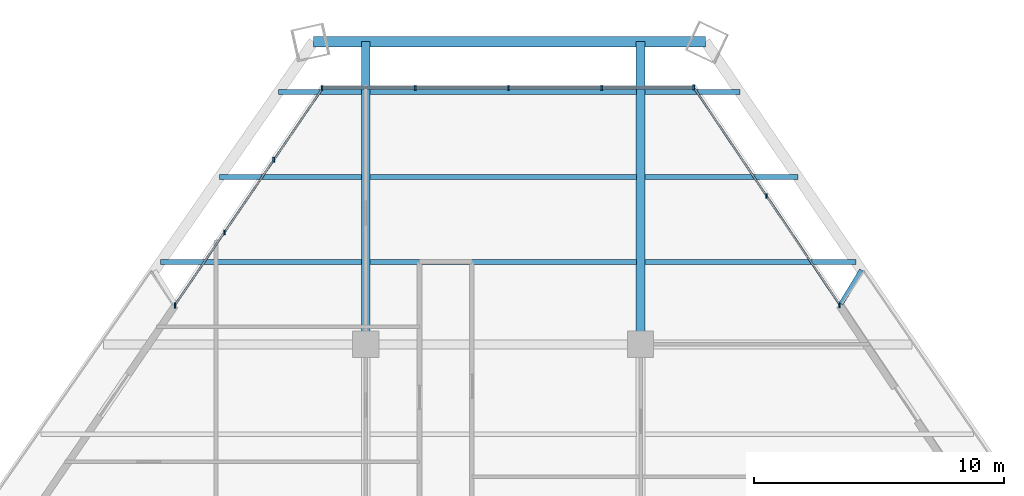
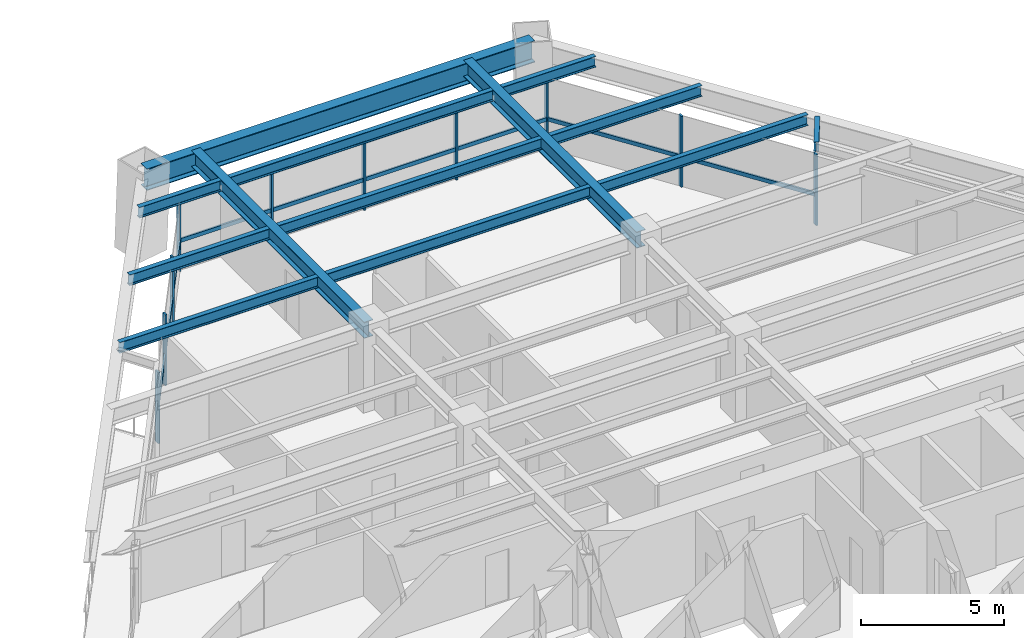
# One storey, part 8 of 14: 20 members, 13 beams, 3 elements without a shape of their own.
"""IFC4 building model written with IfcOpenShell, lengths in metres."""

from ifc_helpers import new_model, si_unit, direction, frame, origin, origin_2d, place, context, subcontext, project, spatial, rectangle, i_section, extrude, source, transform, mapped, material, material_profile, profile_set, type_object, type_shapes, element, aggregate, save


model = new_model("IFC4")

# Units and contexts
model_context = context("Model", 3, precision=1e-05, world=origin(), true_north=direction((0.0, 1.0)))
body_context = subcontext(model_context, "Body", "Model", "MODEL_VIEW")
ifc_project = project(units=[si_unit("LENGTHUNIT", "METRE"), si_unit("AREAUNIT", "SQUARE_METRE"), si_unit("VOLUMEUNIT", "CUBIC_METRE"), si_unit("PLANEANGLEUNIT", "RADIAN"), si_unit("MASSUNIT", "GRAM", prefix="KILO")], contexts=[model_context])

# Site, building, storey
site_placement = place(None, origin())
site = spatial("IfcSite", under=ifc_project, at=site_placement, CompositionType="ELEMENT")
building_placement = place(site_placement, origin())
building = spatial("IfcBuilding", under=site, at=building_placement, Name="Varnakhor Terracotta Tower", CompositionType="ELEMENT")
storey_placement = place(building_placement, frame((0.0, 0.0, 46.0)))
storey = spatial("IfcBuildingStorey", under=building, at=storey_placement, Name="L10", CompositionType="ELEMENT", Elevation=46.0)

# Beams
ifc_material_1 = material(Name="Steel S355", Category="steel")
ifc_material_profile_1 = material_profile(ifc_material_1, i_section(OverallWidth=0.19189453125, OverallDepth=0.462890625, WebThickness=0.010498046875, FlangeThickness=0.017578125, FilletRadius=0.01806640625, at=origin_2d()), Name="W18X60")
ifc_profile_set_1 = profile_set([ifc_material_profile_1], Name="Steel S355")
beam_type_1 = type_object("IfcBeamType", Name="JST-W18X60", PredefinedType="JOIST", material=ifc_profile_set_1)
shared_shape_1 = source(origin(), body_context, "Body", "SweptSolid", [
    extrude(i_section(OverallWidth=0.19189453125, OverallDepth=0.462890625, WebThickness=0.010498046875, FlangeThickness=0.017578125, FilletRadius=0.01806640625, at=origin_2d()), origin(), (0.0, 0.0, 1.0), 10.65283203125),
])
for number, where, z_axis, x_axis, name in (
    (1, (-5.326416015625, 34.800048828125, 3.218505859375), (1.0, 0.0, 0.0), (0.0, 1.0, 0.0), "L10 Composite Floor Joist 7-2"),
    (2, (-5.326416015625, 38.199951171875, 3.218505859375), (1.0, 0.0, 0.0), (0.0, 1.0, 0.0), "L10 Composite Floor Joist 8-2"),
    (3, (-5.326416015625, 41.60009765625, 3.218505859375), (1.0, 0.0, 0.0), (0.0, 1.0, 0.0), "L10 Composite Floor Joist 9-2"),
):
    element("IfcBeam", number, at=place(storey_placement, frame(where, z_axis=z_axis, x_axis=x_axis)), inside=storey, type_object=beam_type_1, Name=name, PredefinedType="JOIST", context=body_context, shape_type="MappedRepresentation", body=[
        mapped(shared_shape_1, transform((0.0, 0.0, 0.0), scale=1.0)),
    ])
ifc_material_profile_2 = material_profile(ifc_material_1, i_section(OverallWidth=0.41796875, OverallDepth=0.927001953125, WebThickness=0.01904296875, FlangeThickness=0.031982421875, FilletRadius=0.01806640625, at=origin_2d()), Name="W36X231")
ifc_profile_set_2 = profile_set([ifc_material_profile_2], Name="Steel S355")
beam_type_2 = type_object("IfcBeamType", Name="BM-W36X231", PredefinedType="BEAM", material=ifc_profile_set_2)
shared_shape_2 = source(origin(), body_context, "Body", "SweptSolid", [
    extrude(i_section(OverallWidth=0.41796875, OverallDepth=0.927001953125, WebThickness=0.01904296875, FlangeThickness=0.031982421875, FilletRadius=0.01806640625, at=origin_2d()), origin(), (0.0, 0.0, 1.0), 15.68310546875),
])
beam_1_placement = place(storey_placement, frame((8.093505859375, 43.61474609375, 2.986572265625), z_axis=(-1.0, 0.0, 0.0), x_axis=(0.0, -1.0, 0.0)))
element("IfcBeam", 4, at=beam_1_placement, inside=storey, type_object=beam_type_2, Name="L10 Perimeter Spandrel 5", PredefinedType="BEAM", context=body_context, shape_type="MappedRepresentation", body=[
    mapped(shared_shape_2, transform((0.0, 0.0, 0.0), scale=1.0)),
])
ifc_material_profile_3 = material_profile(ifc_material_1, i_section(OverallWidth=0.35498046875, OverallDepth=0.695068359375, WebThickness=0.014892578125, FlangeThickness=0.02490234375, FilletRadius=0.01806640625, at=origin_2d()), Name="W27X146")
ifc_profile_set_3 = profile_set([ifc_material_profile_3], Name="Steel S355")
beam_type_3 = type_object("IfcBeamType", Name="BM-W27X146", PredefinedType="BEAM", material=ifc_profile_set_3)
shared_shape_3 = source(origin(), body_context, "Body", "SweptSolid", [
    extrude(i_section(OverallWidth=0.35498046875, OverallDepth=0.695068359375, WebThickness=0.014892578125, FlangeThickness=0.02490234375, FilletRadius=0.01806640625, at=origin_2d()), origin(), (0.0, 0.0, 1.0), 12.11474609375),
])
for number, where, z_axis, x_axis, name in (
    (5, (-5.5, 31.5, 3.1025390625), (0.0, 1.0, 0.0), (-1.0, 0.0, 0.0), "L10 Primary Girder NS3-W"),
    (6, (5.5, 31.5, 3.1025390625), (0.0, 1.0, 0.0), (-1.0, 0.0, 0.0), "L10 Primary Girder NS3-E"),
):
    element("IfcBeam", number, at=place(storey_placement, frame(where, z_axis=z_axis, x_axis=x_axis)), inside=storey, type_object=beam_type_3, Name=name, PredefinedType="BEAM", context=body_context, shape_type="MappedRepresentation", body=[
        mapped(shared_shape_3, transform((0.0, 0.0, 0.0), scale=1.0)),
    ])
shared_shape_4 = source(origin(), body_context, "Body", "SweptSolid", [
    extrude(i_section(OverallWidth=0.19189453125, OverallDepth=0.462890625, WebThickness=0.010498046875, FlangeThickness=0.017578125, FilletRadius=0.01806640625, at=origin_2d()), origin(), (0.0, 0.0, 1.0), 8.03759765625),
])
beam_2_placement = place(storey_placement, frame((-13.711181640625, 34.800048828125, 3.218505859375), z_axis=(1.0, 0.0, 0.0), x_axis=(0.0, 1.0, 0.0)))
element("IfcBeam", 7, at=beam_2_placement, inside=storey, type_object=beam_type_1, Name="L10 Composite Floor Joist 7-1", PredefinedType="JOIST", context=body_context, shape_type="MappedRepresentation", body=[
    mapped(shared_shape_4, transform((0.0, 0.0, 0.0), scale=1.0)),
])
shared_shape_5 = source(origin(), body_context, "Body", "SweptSolid", [
    extrude(i_section(OverallWidth=0.19189453125, OverallDepth=0.462890625, WebThickness=0.010498046875, FlangeThickness=0.017578125, FilletRadius=0.01806640625, at=origin_2d()), origin(), (0.0, 0.0, 1.0), 8.439697265625),
])
beam_3_placement = place(storey_placement, frame((5.673583984375, 34.800048828125, 3.218505859375), z_axis=(1.0, 0.0, 0.0), x_axis=(0.0, 1.0, 0.0)))
element("IfcBeam", 8, at=beam_3_placement, inside=storey, type_object=beam_type_1, Name="L10 Composite Floor Joist 7-3", PredefinedType="JOIST", context=body_context, shape_type="MappedRepresentation", body=[
    mapped(shared_shape_5, transform((0.0, 0.0, 0.0), scale=1.0)),
])
shared_shape_6 = source(origin(), body_context, "Body", "SweptSolid", [
    extrude(i_section(OverallWidth=0.19189453125, OverallDepth=0.462890625, WebThickness=0.010498046875, FlangeThickness=0.017578125, FilletRadius=0.01806640625, at=origin_2d()), origin(), (0.0, 0.0, 1.0), 5.676513671875),
])
beam_4_placement = place(storey_placement, frame((-11.35009765625, 38.199951171875, 3.218505859375), z_axis=(1.0, 0.0, 0.0), x_axis=(0.0, 1.0, 0.0)))
element("IfcBeam", 9, at=beam_4_placement, inside=storey, type_object=beam_type_1, Name="L10 Composite Floor Joist 8-1", PredefinedType="JOIST", context=body_context, shape_type="MappedRepresentation", body=[
    mapped(shared_shape_6, transform((0.0, 0.0, 0.0), scale=1.0)),
])
shared_shape_7 = source(origin(), body_context, "Body", "SweptSolid", [
    extrude(i_section(OverallWidth=0.19189453125, OverallDepth=0.462890625, WebThickness=0.010498046875, FlangeThickness=0.017578125, FilletRadius=0.01806640625, at=origin_2d()), origin(), (0.0, 0.0, 1.0), 6.117919921875),
])
beam_5_placement = place(storey_placement, frame((5.673583984375, 38.199951171875, 3.218505859375), z_axis=(1.0, 0.0, 0.0), x_axis=(0.0, 1.0, 0.0)))
element("IfcBeam", 10, at=beam_5_placement, inside=storey, type_object=beam_type_1, Name="L10 Composite Floor Joist 8-3", PredefinedType="JOIST", context=body_context, shape_type="MappedRepresentation", body=[
    mapped(shared_shape_7, transform((0.0, 0.0, 0.0), scale=1.0)),
])
shared_shape_8 = source(origin(), body_context, "Body", "SweptSolid", [
    extrude(i_section(OverallWidth=0.19189453125, OverallDepth=0.462890625, WebThickness=0.010498046875, FlangeThickness=0.017578125, FilletRadius=0.01806640625, at=origin_2d()), origin(), (0.0, 0.0, 1.0), 3.3154296875),
])
beam_6_placement = place(storey_placement, frame((-8.989013671875, 41.60009765625, 3.218505859375), z_axis=(1.0, 0.0, 0.0), x_axis=(0.0, 1.0, 0.0)))
element("IfcBeam", 11, at=beam_6_placement, inside=storey, type_object=beam_type_1, Name="L10 Composite Floor Joist 9-1", PredefinedType="JOIST", context=body_context, shape_type="MappedRepresentation", body=[
    mapped(shared_shape_8, transform((0.0, 0.0, 0.0), scale=1.0)),
])
shared_shape_9 = source(origin(), body_context, "Body", "SweptSolid", [
    extrude(i_section(OverallWidth=0.19189453125, OverallDepth=0.462890625, WebThickness=0.010498046875, FlangeThickness=0.017578125, FilletRadius=0.01806640625, at=origin_2d()), origin(), (0.0, 0.0, 1.0), 3.7958984375),
])
beam_7_placement = place(storey_placement, frame((5.673583984375, 41.60009765625, 3.218505859375), z_axis=(1.0, 0.0, 0.0), x_axis=(0.0, 1.0, 0.0)))
element("IfcBeam", 12, at=beam_7_placement, inside=storey, type_object=beam_type_1, Name="L10 Composite Floor Joist 9-3", PredefinedType="JOIST", context=body_context, shape_type="MappedRepresentation", body=[
    mapped(shared_shape_9, transform((0.0, 0.0, 0.0), scale=1.0)),
])

# Curtain wall, members
ifc_material_2 = material(Name="Anodised Aluminium Curtain Wall System", Category="aluminium")
curtain_wall_type = type_object("IfcCurtainWallType", Name="CW-SYS-LOW-OFFICE", PredefinedType="NOTDEFINED", material=ifc_material_2)
curtain_wall_1_placement = place(storey_placement, origin())
curtain_wall_1 = element("IfcCurtainWall", 13, at=curtain_wall_1_placement, inside=storey, type_object=curtain_wall_type, Name="L10 W Facet Curtain Wall 2", PredefinedType="NOTDEFINED")
ifc_material_3 = material(Name="Anodised Aluminium 6063-T6", Category="aluminium")
ifc_material_profile_4 = material_profile(ifc_material_3, rectangle(XDim=0.074951171875, YDim=0.18505859375, at=origin_2d()), Name="ALU MULLION 75x185")
ifc_profile_set_4 = profile_set([ifc_material_profile_4], Name="Anodised Aluminium 6063-T6")
member_type_1 = type_object("IfcMemberType", Name="CWM-02", PredefinedType="MULLION", material=ifc_profile_set_4)
shared_shape_10 = source(origin(), body_context, "Body", "SweptSolid", [
    extrude(rectangle(XDim=0.074951171875, YDim=0.18505859375, at=origin_2d()), origin(), (0.0, 0.0, 1.0), 3.030029296875),
])
type_shapes(member_type_1, [shared_shape_10])
member_1_placement = place(storey_placement, frame((-13.131591796875, 33.079345703125, 0.0), z_axis=(0.0, 0.0, 1.0), x_axis=(1.0, 0.0, 0.0)))
member_1 = element("IfcMember", 14, at=member_1_placement, type_object=member_type_1, Name="L10 W Facet Curtain Wall 2 Mullion 1", PredefinedType="MULLION", context=body_context, shape_type="MappedRepresentation", body=[
    mapped(shared_shape_10, transform((0.0, 0.0, 0.0), scale=1.0)),
])
member_2_placement = place(storey_placement, frame((-11.15380859375, 35.982421875, 0.0), z_axis=(0.0, 0.0, 1.0), x_axis=(1.0, 0.0, 0.0)))
member_2 = element("IfcMember", 15, at=member_2_placement, type_object=member_type_1, Name="L10 W Facet Curtain Wall 2 Mullion 2", PredefinedType="MULLION", context=body_context, shape_type="MappedRepresentation", body=[
    mapped(shared_shape_10, transform((0.0, 0.0, 0.0), scale=1.0)),
])
member_3_placement = place(storey_placement, frame((-9.175537109375, 38.885498046875, 0.0), z_axis=(0.0, 0.0, 1.0), x_axis=(1.0, 0.0, 0.0)))
member_3 = element("IfcMember", 16, at=member_3_placement, type_object=member_type_1, Name="L10 W Facet Curtain Wall 2 Mullion 3", PredefinedType="MULLION", context=body_context, shape_type="MappedRepresentation", body=[
    mapped(shared_shape_10, transform((0.0, 0.0, 0.0), scale=1.0)),
])
member_4_placement = place(storey_placement, frame((-13.132080078125, 33.043212890625, 0.0), z_axis=(0.0, 0.0, 1.0), x_axis=(1.0, 0.0, 0.0)))
member_4 = element("IfcMember", 17, at=member_4_placement, type_object=member_type_1, Name="L10 W Loggia Jamb Closure Mullion 2", PredefinedType="MULLION", context=body_context, shape_type="MappedRepresentation", body=[
    mapped(shared_shape_10, transform((0.0, 0.0, 0.0), scale=1.0)),
])

curtain_wall_2_placement = place(storey_placement, origin())
curtain_wall_2 = element("IfcCurtainWall", 18, at=curtain_wall_2_placement, inside=storey, type_object=curtain_wall_type, Name="L10 Facet Curtain Wall 2", PredefinedType="NOTDEFINED")
member_5_placement = place(storey_placement, frame((-7.249755859375, 41.760986328125, 0.0), z_axis=(0.0, 0.0, 1.0), x_axis=(1.0, 0.0, 0.0)))
member_5 = element("IfcMember", 19, at=member_5_placement, type_object=member_type_1, Name="L10 Facet Curtain Wall 2 Mullion 1", PredefinedType="MULLION", context=body_context, shape_type="MappedRepresentation", body=[
    mapped(shared_shape_10, transform((0.0, 0.0, 0.0), scale=1.0)),
])
member_6_placement = place(storey_placement, frame((-3.518798828125, 41.760986328125, 0.0), z_axis=(0.0, 0.0, 1.0), x_axis=(1.0, 0.0, 0.0)))
member_6 = element("IfcMember", 20, at=member_6_placement, type_object=member_type_1, Name="L10 Facet Curtain Wall 2 Mullion 2", PredefinedType="MULLION", context=body_context, shape_type="MappedRepresentation", body=[
    mapped(shared_shape_10, transform((0.0, 0.0, 0.0), scale=1.0)),
])
member_7_placement = place(storey_placement, frame((0.21240234375, 41.760986328125, 0.0), z_axis=(0.0, 0.0, 1.0), x_axis=(1.0, 0.0, 0.0)))
member_7 = element("IfcMember", 21, at=member_7_placement, type_object=member_type_1, Name="L10 Facet Curtain Wall 2 Mullion 3", PredefinedType="MULLION", context=body_context, shape_type="MappedRepresentation", body=[
    mapped(shared_shape_10, transform((0.0, 0.0, 0.0), scale=1.0)),
])
member_8_placement = place(storey_placement, frame((3.943359375, 41.760986328125, 0.0), z_axis=(0.0, 0.0, 1.0), x_axis=(1.0, 0.0, 0.0)))
member_8 = element("IfcMember", 22, at=member_8_placement, type_object=member_type_1, Name="L10 Facet Curtain Wall 2 Mullion 4", PredefinedType="MULLION", context=body_context, shape_type="MappedRepresentation", body=[
    mapped(shared_shape_10, transform((0.0, 0.0, 0.0), scale=1.0)),
])

curtain_wall_3_placement = place(storey_placement, origin())
curtain_wall_3 = element("IfcCurtainWall", 23, at=curtain_wall_3_placement, inside=storey, type_object=curtain_wall_type, Name="L10 E Facet Curtain Wall 1", PredefinedType="NOTDEFINED")
member_9_placement = place(storey_placement, frame((7.621337890625, 41.789306640625, 0.0), z_axis=(0.0, 0.0, 1.0), x_axis=(1.0, 0.0, 0.0)))
member_9 = element("IfcMember", 24, at=member_9_placement, type_object=member_type_1, Name="L10 E Facet Curtain Wall 1 Mullion 1", PredefinedType="MULLION", context=body_context, shape_type="MappedRepresentation", body=[
    mapped(shared_shape_10, transform((0.0, 0.0, 0.0), scale=1.0)),
])
member_10_placement = place(storey_placement, frame((10.541015625, 37.439453125, 0.0), z_axis=(0.0, 0.0, 1.0), x_axis=(1.0, 0.0, 0.0)))
member_10 = element("IfcMember", 25, at=member_10_placement, type_object=member_type_1, Name="L10 E Facet Curtain Wall 1 Mullion 2", PredefinedType="MULLION", context=body_context, shape_type="MappedRepresentation", body=[
    mapped(shared_shape_10, transform((0.0, 0.0, 0.0), scale=1.0)),
])
member_11_placement = place(storey_placement, frame((13.4609375, 33.053466796875, 0.0), z_axis=(0.0, 0.0, 1.0), x_axis=(1.0, 0.0, 0.0)))
member_11 = element("IfcMember", 26, at=member_11_placement, type_object=member_type_1, Name="L10 E Loggia Jamb Closure Mullion 1", PredefinedType="MULLION", context=body_context, shape_type="MappedRepresentation", body=[
    mapped(shared_shape_10, transform((0.0, 0.0, 0.0), scale=1.0)),
])

# Member
ifc_material_profile_5 = material_profile(ifc_material_3, rectangle(XDim=0.074951171875, YDim=0.1650390625, at=origin_2d()), Name="ALU TRANSOM 75x165")
ifc_profile_set_5 = profile_set([ifc_material_profile_5], Name="Anodised Aluminium 6063-T6")
member_type_2 = type_object("IfcMemberType", Name="CWT-02", PredefinedType="USERDEFINED", material=ifc_profile_set_5)
shared_shape_11 = source(origin(), body_context, "Body", "SweptSolid", [
    extrude(rectangle(XDim=0.074951171875, YDim=0.1650390625, at=origin_2d()), origin(), (0.0, 0.0, 1.0), 3.512939453125),
])
member_12_placement = place(storey_placement, frame((-11.15380859375, 35.982421875, 1.272705078125), z_axis=(0.563123319879, 0.826372873834, 0.0), x_axis=(-0.826372873834, 0.563123319879, 0.0)))
member_12 = element("IfcMember", 27, at=member_12_placement, type_object=member_type_2, Name="L10 W Facet Curtain Wall 2 Transom 2", ObjectType="TRANSOM", PredefinedType="USERDEFINED", context=body_context, shape_type="MappedRepresentation", body=[
    mapped(shared_shape_11, transform((0.0, 0.0, 0.0), scale=1.0)),
])

member_13_placement = place(storey_placement, frame((-9.175537109375, 38.885498046875, 1.272705078125), z_axis=(0.563075859055, 0.82640521353, 0.0), x_axis=(-0.82640521353, 0.563075859055, 0.0)))
member_13 = element("IfcMember", 28, at=member_13_placement, type_object=member_type_2, Name="L10 W Facet Curtain Wall 2 Transom 3", ObjectType="TRANSOM", PredefinedType="USERDEFINED", context=body_context, shape_type="MappedRepresentation", body=[
    mapped(shared_shape_11, transform((0.0, 0.0, 0.0), scale=1.0)),
])

shared_shape_12 = source(origin(), body_context, "Body", "SweptSolid", [
    extrude(rectangle(XDim=0.074951171875, YDim=0.1650390625, at=origin_2d()), origin(), (0.0, 0.0, 1.0), 3.5126953125),
])
member_14_placement = place(storey_placement, frame((-13.131591796875, 33.079345703125, 1.272705078125), z_axis=(0.563028392659, 0.826437553031, 0.0), x_axis=(-0.826437553031, 0.563028392659, 0.0)))
member_14 = element("IfcMember", 29, at=member_14_placement, type_object=member_type_2, Name="L10 W Facet Curtain Wall 2 Transom 1", ObjectType="TRANSOM", PredefinedType="USERDEFINED", context=body_context, shape_type="MappedRepresentation", body=[
    mapped(shared_shape_12, transform((0.0, 0.0, 0.0), scale=1.0)),
])

aggregate(curtain_wall_1, [member_1, member_14, member_2, member_12, member_3, member_13, member_4])

shared_shape_13 = source(origin(), body_context, "Body", "SweptSolid", [
    extrude(rectangle(XDim=0.074951171875, YDim=0.1650390625, at=origin_2d()), origin(), (0.0, 0.0, 1.0), 3.73095703125),
])
member_15_placement = place(storey_placement, frame((-7.249755859375, 41.760986328125, 1.272705078125), z_axis=(1.0, 0.0, 0.0), x_axis=(0.0, 1.0, 0.0)))
member_15 = element("IfcMember", 30, at=member_15_placement, type_object=member_type_2, Name="L10 Facet Curtain Wall 2 Transom 1", ObjectType="TRANSOM", PredefinedType="USERDEFINED", context=body_context, shape_type="MappedRepresentation", body=[
    mapped(shared_shape_13, transform((0.0, 0.0, 0.0), scale=1.0)),
])

member_16_placement = place(storey_placement, frame((0.21240234375, 41.760986328125, 1.272705078125), z_axis=(1.0, 0.0, 0.0), x_axis=(0.0, 1.0, 0.0)))
member_16 = element("IfcMember", 31, at=member_16_placement, type_object=member_type_2, Name="L10 Facet Curtain Wall 2 Transom 3", ObjectType="TRANSOM", PredefinedType="USERDEFINED", context=body_context, shape_type="MappedRepresentation", body=[
    mapped(shared_shape_13, transform((0.0, 0.0, 0.0), scale=1.0)),
])

member_17_placement = place(storey_placement, frame((3.943359375, 41.760986328125, 1.272705078125), z_axis=(1.0, 0.0, 0.0), x_axis=(0.0, 1.0, 0.0)))
member_17 = element("IfcMember", 32, at=member_17_placement, type_object=member_type_2, Name="L10 Facet Curtain Wall 2 Transom 4", ObjectType="TRANSOM", PredefinedType="USERDEFINED", context=body_context, shape_type="MappedRepresentation", body=[
    mapped(shared_shape_13, transform((0.0, 0.0, 0.0), scale=1.0)),
])

shared_shape_14 = source(origin(), body_context, "Body", "SweptSolid", [
    extrude(rectangle(XDim=0.074951171875, YDim=0.1650390625, at=origin_2d()), origin(), (0.0, 0.0, 1.0), 3.731201171875),
])
member_18_placement = place(storey_placement, frame((-3.518798828125, 41.760986328125, 1.272705078125), z_axis=(1.0, 0.0, 0.0), x_axis=(0.0, 1.0, 0.0)))
member_18 = element("IfcMember", 33, at=member_18_placement, type_object=member_type_2, Name="L10 Facet Curtain Wall 2 Transom 2", ObjectType="TRANSOM", PredefinedType="USERDEFINED", context=body_context, shape_type="MappedRepresentation", body=[
    mapped(shared_shape_14, transform((0.0, 0.0, 0.0), scale=1.0)),
])

aggregate(curtain_wall_2, [member_5, member_15, member_6, member_18, member_7, member_16, member_8, member_17])

shared_shape_15 = source(origin(), body_context, "Body", "SweptSolid", [
    extrude(rectangle(XDim=0.074951171875, YDim=0.1650390625, at=origin_2d()), origin(), (0.0, 0.0, 1.0), 5.23876953125),
])
member_19_placement = place(storey_placement, frame((7.621337890625, 41.789306640625, 1.272705078125), z_axis=(0.557310745008, -0.830304000652, 0.0), x_axis=(0.830304000652, 0.557310745008, 0.0)))
member_19 = element("IfcMember", 34, at=member_19_placement, type_object=member_type_2, Name="L10 E Facet Curtain Wall 1 Transom 1", ObjectType="TRANSOM", PredefinedType="USERDEFINED", context=body_context, shape_type="MappedRepresentation", body=[
    mapped(shared_shape_15, transform((0.0, 0.0, 0.0), scale=1.0)),
])

member_20_placement = place(storey_placement, frame((10.541015625, 37.439453125, 1.272705078125), z_axis=(0.557310745008, -0.830304000652, 0.0), x_axis=(0.830304000652, 0.557310745008, 0.0)))
member_20 = element("IfcMember", 35, at=member_20_placement, type_object=member_type_2, Name="L10 E Facet Curtain Wall 1 Transom 2", ObjectType="TRANSOM", PredefinedType="USERDEFINED", context=body_context, shape_type="MappedRepresentation", body=[
    mapped(shared_shape_15, transform((0.0, 0.0, 0.0), scale=1.0)),
])

aggregate(curtain_wall_3, [member_9, member_19, member_10, member_20, member_11])

# Beam
ifc_material_profile_6 = material_profile(ifc_material_1, i_section(OverallWidth=0.179931640625, OverallDepth=0.39990234375, WebThickness=0.008544921875, FlangeThickness=0.013427734375, FilletRadius=0.01806640625, at=origin_2d()), Name="IPE400")
ifc_profile_set_6 = profile_set([ifc_material_profile_6], Name="Steel S355")
beam_type_4 = type_object("IfcBeamType", Name="JST-IPE400", PredefinedType="JOIST", material=ifc_profile_set_6)
shared_shape_16 = source(origin(), body_context, "Body", "SweptSolid", [
    extrude(i_section(OverallWidth=0.179931640625, OverallDepth=0.39990234375, WebThickness=0.008544921875, FlangeThickness=0.013427734375, FilletRadius=0.01806640625, at=origin_2d()), origin(), (0.0, 0.0, 1.0), 1.577880859375),
])
beam_8_placement = place(storey_placement, frame((13.52001953125, 33.118896484375, 3.25), z_axis=(0.520535891718, 0.85383978909, 0.0), x_axis=(-0.85383978909, 0.520535891718, 0.0)))
element("IfcBeam", 36, at=beam_8_placement, inside=storey, type_object=beam_type_4, Name="L11 E Loggia Tie Beam 1", PredefinedType="JOIST", context=body_context, shape_type="MappedRepresentation", body=[
    mapped(shared_shape_16, transform((0.0, 0.0, 0.0), scale=1.0)),
])

save(model, "model.ifc")
